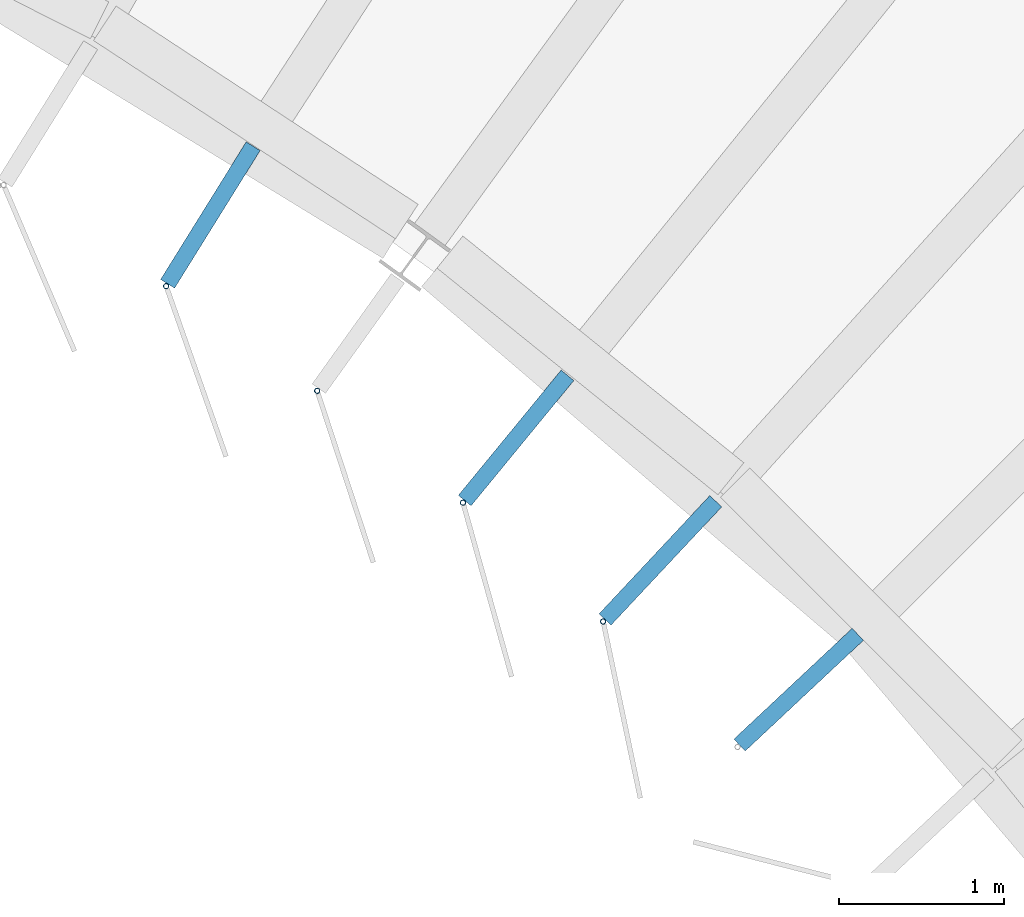
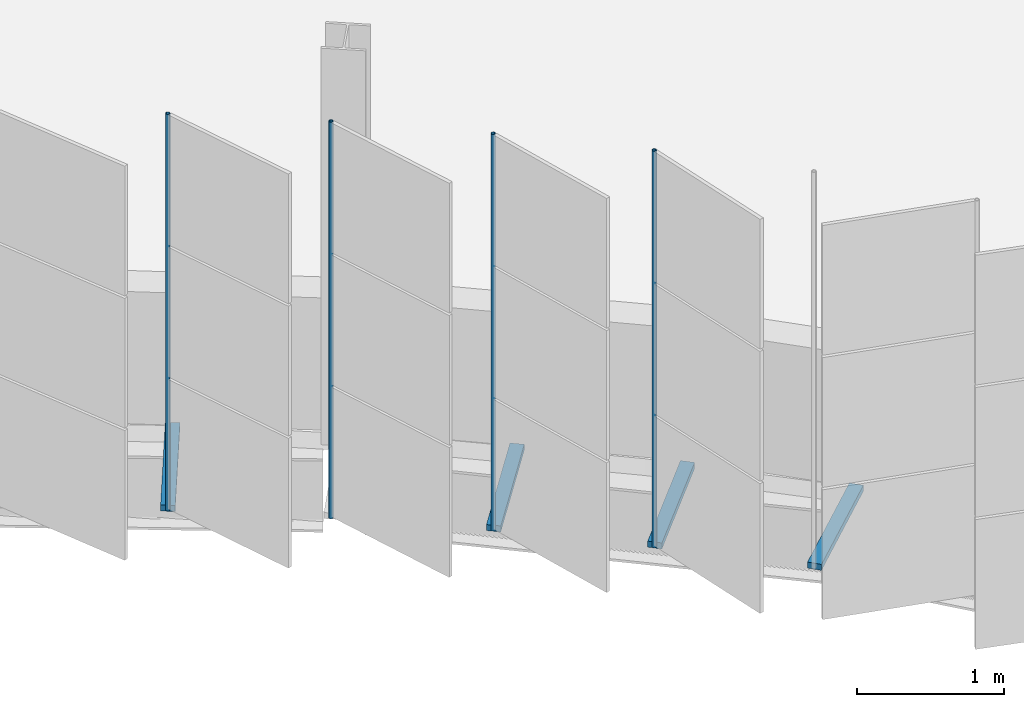
# One storey, part 131 of 214: 8 discrete accessories.
"""IFC4 building model written with IfcOpenShell, lengths in metres."""

from ifc_helpers import new_model, si_unit, direction, frame, origin, origin_2d, place, context, subcontext, project, spatial, rectangle, hollow_circle, extrude, material, material_profile, profile_set, type_object, element, save


model = new_model("IFC4")

# Units and contexts
model_context = context("Model", 3, precision=1e-05, world=origin(), true_north=direction((0.0, 1.0)))
body_context = subcontext(model_context, "Body", "Model", "MODEL_VIEW")
ifc_project = project(units=[si_unit("LENGTHUNIT", "METRE"), si_unit("AREAUNIT", "SQUARE_METRE"), si_unit("VOLUMEUNIT", "CUBIC_METRE"), si_unit("PLANEANGLEUNIT", "RADIAN"), si_unit("MASSUNIT", "GRAM", prefix="KILO")], contexts=[model_context])

# Site, building, storey
site_placement = place(None, origin())
site = spatial("IfcSite", under=ifc_project, at=site_placement, CompositionType="ELEMENT")
building_placement = place(site_placement, origin())
building = spatial("IfcBuilding", under=site, at=building_placement, Name="Parallax Yard Mobility Hub", CompositionType="ELEMENT")
storey_placement = place(building_placement, frame((0.0, 0.0, 3.300048828125)))
storey = spatial("IfcBuildingStorey", under=building, at=storey_placement, Name="L01", CompositionType="ELEMENT", Elevation=3.300048828125)

# Discrete accessories
ifc_material_1 = material(Name="Steel ASTM A36, hot-dip galvanised", Category="steel")
discrete_accessory_type_1 = type_object("IfcDiscreteAccessoryType", Name="Hinge bracket plate 100x50", PredefinedType="BRACKET", material=ifc_material_1)
for number, where, z_axis, x_axis, name in (
    (1, (184.48583984375, 108.44921875, -0.02490234375), (0.0, 0.0, 1.0), (-0.52806785065, -0.849202181527, 0.0), "Hinge bracket plate bay 19.6 level L01"),
    (2, (186.34228515625, 107.095458984375, -0.02490234375), (0.0, 0.0, 1.0), (-0.634393284164, -0.773010453363, 0.0), "Hinge bracket plate bay 20.2 level L01"),
    (3, (187.218505859375, 106.35205078125, -0.02490234375), (0.0, 0.0, 1.0), (-0.683592302023, -0.729864072698, 0.0), "Hinge bracket plate bay 20.3 level L01"),
    (4, (188.05810546875, 105.566650390625, -0.02490234375), (0.0, 0.0, 1.0), (-0.729864072698, -0.683592302023, 0.0), "Hinge bracket plate bay 20.4 level L01"),
):
    element("IfcDiscreteAccessory", number, at=place(storey_placement, frame(where, z_axis=z_axis, x_axis=x_axis)), inside=storey, type_object=discrete_accessory_type_1, Name=name, PredefinedType="BRACKET", context=body_context, shape_type="SweptSolid", body=[
        extrude(rectangle(XDim=0.984130859375, YDim=0.10009765625, at=origin_2d()), origin(), (0.0, 0.0, 1.0), 0.050048828125),
    ])
ifc_material_2 = material(Name="Steel ASTM A500 Gr C, hot-dip galvanised", Category="steel")
ifc_material_profile = material_profile(ifc_material_2, hollow_circle(Radius=0.016845703125, WallThickness=0.003173828125, at=origin_2d()), Name="CHS 33.7x3.2")
ifc_profile_set = profile_set([ifc_material_profile], Name="Steel ASTM A500 Gr C, hot-dip galvanised")
discrete_accessory_type_2 = type_object("IfcDiscreteAccessoryType", Name="Hinge post CHS 33.7x3.2", PredefinedType="BRACKET", material=ifc_profile_set)
for number, where, z_axis, x_axis, name in (
    (5, (184.21728515625, 108.017333984375, 0.0), (0.0, 0.0, 1.0), (1.0, 0.0, 0.0), "Hinge post bay 19.6 level L01"),
    (6, (185.134521484375, 107.381591796875, 0.0), (0.0, 0.0, 1.0), (1.0, 0.0, 0.0), "Hinge post bay 20.1 level L01"),
    (7, (186.019775390625, 106.702392578125, 0.0), (0.0, 0.0, 1.0), (1.0, 0.0, 0.0), "Hinge post bay 20.2 level L01"),
    (8, (186.87109375, 105.98095703125, 0.0), (0.0, 0.0, 1.0), (1.0, 0.0, 0.0), "Hinge post bay 20.3 level L01"),
):
    element("IfcDiscreteAccessory", number, at=place(storey_placement, frame(where, z_axis=z_axis, x_axis=x_axis)), inside=storey, type_object=discrete_accessory_type_2, Name=name, PredefinedType="BRACKET", context=body_context, shape_type="SweptSolid", body=[
        extrude(hollow_circle(Radius=0.016845703125, WallThickness=0.003173828125, at=origin_2d()), origin(), (0.0, 0.0, 1.0), 3.300048828125),
    ])

save(model, "model.ifc")
